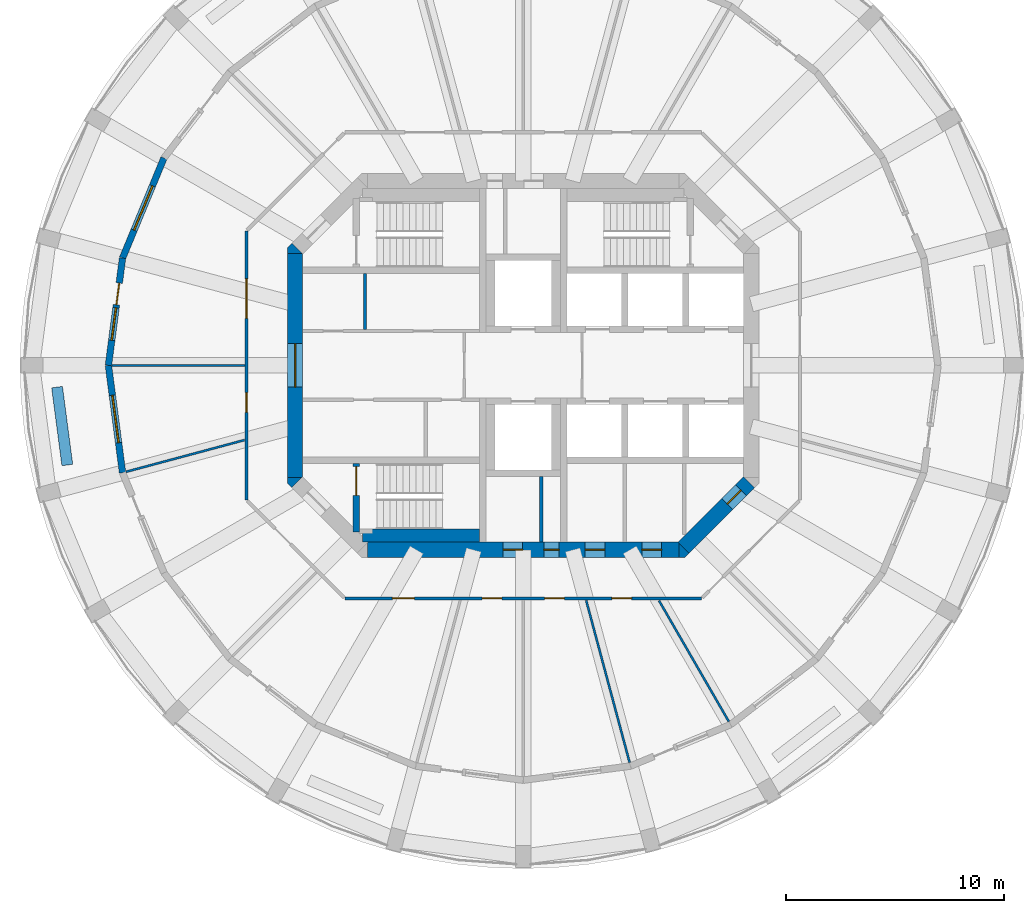
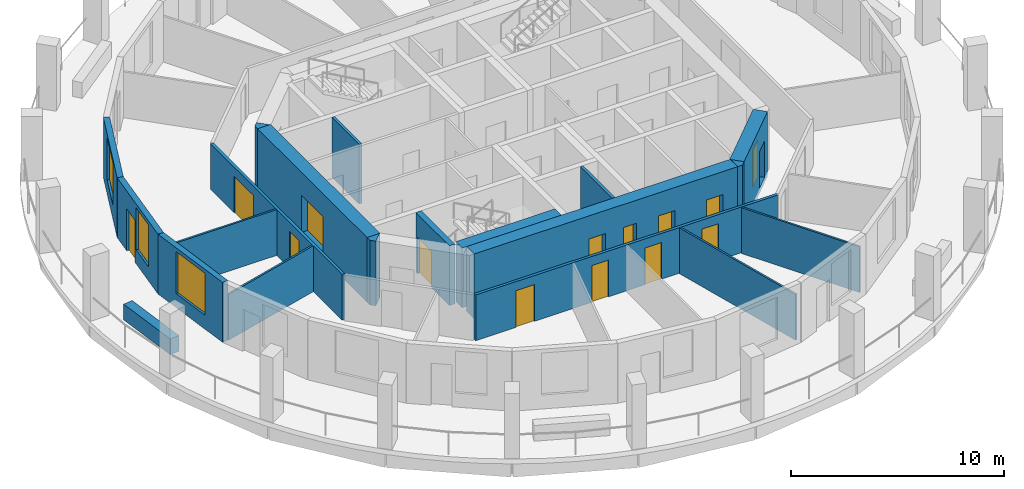
# One storey, part 3 of 9: 20 walls, 14 doors, 3 windows, 17 openings.
"""IFC4 building model written with IfcOpenShell, lengths in metres."""

from ifc_helpers import new_model, si_unit, direction, frame, frame_2d, origin, place, context, subcontext, project, spatial, polyline, rectangle, outline, extrude, material, layer, layer_set, type_object, element, fill, save


model = new_model("IFC4")

# Units and contexts
model_context = context("Model", 3, precision=1e-05, world=origin(), true_north=direction((0.0, 1.0)))
body_context = subcontext(model_context, "Body", "Model", "MODEL_VIEW")
ifc_project = project(units=[si_unit("LENGTHUNIT", "METRE"), si_unit("AREAUNIT", "SQUARE_METRE"), si_unit("VOLUMEUNIT", "CUBIC_METRE"), si_unit("PLANEANGLEUNIT", "RADIAN"), si_unit("MASSUNIT", "GRAM", prefix="KILO")], contexts=[model_context])

# Site, building, storey
site_placement = place(None, origin())
site = spatial("IfcSite", under=ifc_project, at=site_placement, CompositionType="ELEMENT")
building_placement = place(site_placement, origin())
building = spatial("IfcBuilding", under=site, at=building_placement, Name="Torre Triforio", CompositionType="ELEMENT")
storey_placement = place(building_placement, frame((0.0, 0.0, 180.10009765625)))
storey = spatial("IfcBuildingStorey", under=building, at=storey_placement, Name="L41", CompositionType="ELEMENT", Elevation=180.10009765625)

# Wall, openings, doors
ifc_material_1 = material(Name="Concrete C50", Category="concrete")
ifc_layer_1 = layer(ifc_material_1, 0.699951171875)
ifc_layer_set_1 = layer_set([ifc_layer_1], Name="Concrete C50")
wall_type_1 = type_object("IfcWallType", Name="Core wall 700 mm C50 EI 120", PredefinedType="SHEAR", material=ifc_layer_set_1)
wall_1_placement = place(storey_placement, frame((-7.1298828125, -8.449951171875, -0.280029296875), z_axis=(0.0, 0.0, 1.0), x_axis=(1.0, 0.0, 0.0)))
wall_1 = element("IfcWall", 1, at=wall_1_placement, inside=storey, type_object=wall_type_1, Name="Core wall", PredefinedType="SHEAR", context=body_context, shape_type="SweptSolid", body=[
    extrude(rectangle(XDim=14.259765625, YDim=0.699951171875, at=frame_2d((7.1298828125, 0.0))), origin(), (0.0, 0.0, 1.0), 3.699951171875),
])
opening_1_placement = place(wall_1_placement, frame((8.080078125, 0.0, 0.280029296875)))
opening_1 = element("IfcOpeningElement", 2, at=opening_1_placement, cuts=wall_1, Name="Opening RISER-S", PredefinedType="OPENING", context=body_context, shape_type="SweptSolid", body=[
    extrude(rectangle(XDim=0.699951171875, YDim=2.10009765625, at=frame_2d((0.35009765625, 1.050048828125))), frame((0.0, 0.35986328125, 0.0), z_axis=(0.0, -1.0, 0.0), x_axis=(1.0, 0.0, 0.0)), (0.0, 0.0, 1.0), 0.719970703125),
])
opening_2_placement = place(wall_1_placement, frame((6.205078125, 0.0, 0.280029296875)))
opening_2 = element("IfcOpeningElement", 3, at=opening_2_placement, cuts=wall_1, Name="Opening SW-01B", PredefinedType="OPENING", context=body_context, shape_type="SweptSolid", body=[
    extrude(rectangle(XDim=0.89990234375, YDim=2.10009765625, at=frame_2d((0.449951171875, 1.050048828125))), frame((0.0, 0.35986328125, 0.0), z_axis=(0.0, -1.0, 0.0), x_axis=(1.0, 0.0, 0.0)), (0.0, 0.0, 1.0), 0.719970703125),
])
opening_3_placement = place(wall_1_placement, frame((9.967041015625, 0.0, 0.280029296875)))
opening_3 = element("IfcOpeningElement", 4, at=opening_3_placement, cuts=wall_1, Name="Opening SE-01A", PredefinedType="OPENING", context=body_context, shape_type="SweptSolid", body=[
    extrude(rectangle(XDim=0.89990234375, YDim=2.10009765625, at=frame_2d((0.449951171875, 1.050048828125))), frame((0.0, 0.35986328125, 0.0), z_axis=(0.0, -1.0, 0.0), x_axis=(1.0, 0.0, 0.0)), (0.0, 0.0, 1.0), 0.719970703125),
])
opening_4_placement = place(wall_1_placement, frame((12.56689453125, 0.0, 0.280029296875)))
opening_4 = element("IfcOpeningElement", 5, at=opening_4_placement, cuts=wall_1, Name="Opening SE-02", PredefinedType="OPENING", context=body_context, shape_type="SweptSolid", body=[
    extrude(rectangle(XDim=0.89990234375, YDim=2.10009765625, at=frame_2d((0.449951171875, 1.050048828125))), frame((0.0, 0.35986328125, 0.0), z_axis=(0.0, -1.0, 0.0), x_axis=(1.0, 0.0, 0.0)), (0.0, 0.0, 1.0), 0.719970703125),
])
ifc_material_2 = material(Name="Hollow metal fire door leaf")
door_type_1 = type_object("IfcDoorType", Name="Riser door 700 x 2100 EI 60", OperationType="NOTDEFINED", PredefinedType="DOOR", material=ifc_material_2)
door_1_placement = place(opening_1_placement, origin())
door_1 = element("IfcDoor", 6, at=door_1_placement, inside=storey, type_object=door_type_1, Name="Core door RISER-S", OperationType="SINGLE_SWING_RIGHT", OverallHeight=2.10009765625, OverallWidth=0.699951171875, PredefinedType="DOOR", context=body_context, shape_type="SweptSolid", body=[
    extrude(rectangle(XDim=0.699951171875, YDim=2.10009765625, at=frame_2d((0.35009765625, 1.050048828125))), frame((0.0, 0.02490234375, 0.0), z_axis=(0.0, -1.0, 0.0), x_axis=(1.0, 0.0, 0.0)), (0.0, 0.0, 1.0), 0.050048828125),
])
fill(opening_1, door_1)
door_type_2 = type_object("IfcDoorType", Name="Room door 900 x 2100 EI 60", OperationType="NOTDEFINED", PredefinedType="DOOR", material=ifc_material_2)
door_2_placement = place(opening_2_placement, origin())
door_2 = element("IfcDoor", 7, at=door_2_placement, inside=storey, type_object=door_type_2, Name="Core door SW-01", OperationType="SINGLE_SWING_LEFT", OverallHeight=2.10009765625, OverallWidth=0.89990234375, PredefinedType="DOOR", context=body_context, shape_type="SweptSolid", body=[
    extrude(rectangle(XDim=0.89990234375, YDim=2.10009765625, at=frame_2d((0.449951171875, 1.050048828125))), frame((0.0, 0.02490234375, 0.0), z_axis=(0.0, -1.0, 0.0), x_axis=(1.0, 0.0, 0.0)), (0.0, 0.0, 1.0), 0.050048828125),
])
fill(opening_2, door_2)
door_3_placement = place(opening_3_placement, origin())
door_3 = element("IfcDoor", 8, at=door_3_placement, inside=storey, type_object=door_type_2, Name="Core door SE-01", OperationType="SINGLE_SWING_LEFT", OverallHeight=2.10009765625, OverallWidth=0.89990234375, PredefinedType="DOOR", context=body_context, shape_type="SweptSolid", body=[
    extrude(rectangle(XDim=0.89990234375, YDim=2.10009765625, at=frame_2d((0.449951171875, 1.050048828125))), frame((0.0, 0.02490234375, 0.0), z_axis=(0.0, -1.0, 0.0), x_axis=(1.0, 0.0, 0.0)), (0.0, 0.0, 1.0), 0.050048828125),
])
fill(opening_3, door_3)
door_4_placement = place(opening_4_placement, origin())
door_4 = element("IfcDoor", 9, at=door_4_placement, inside=storey, type_object=door_type_2, Name="Core door SE-02", OperationType="SINGLE_SWING_LEFT", OverallHeight=2.10009765625, OverallWidth=0.89990234375, PredefinedType="DOOR", context=body_context, shape_type="SweptSolid", body=[
    extrude(rectangle(XDim=0.89990234375, YDim=2.10009765625, at=frame_2d((0.449951171875, 1.050048828125))), frame((0.0, 0.02490234375, 0.0), z_axis=(0.0, -1.0, 0.0), x_axis=(1.0, 0.0, 0.0)), (0.0, 0.0, 1.0), 0.050048828125),
])
fill(opening_4, door_4)

# Wall, opening, door
wall_2_placement = place(storey_placement, frame((-10.449951171875, -5.1298828125, -0.280029296875), z_axis=(0.0, 0.0, 1.0), x_axis=(0.0, 1.0, 0.0)))
wall_2 = element("IfcWall", 10, at=wall_2_placement, inside=storey, type_object=wall_type_1, Name="Core wall", PredefinedType="SHEAR", context=body_context, shape_type="SweptSolid", body=[
    extrude(rectangle(XDim=10.259765625, YDim=0.699951171875, at=frame_2d((5.1298828125, 0.0))), origin(), (0.0, 0.0, 1.0), 3.699951171875),
])
opening_5_placement = place(wall_2_placement, frame((4.1298828125, 0.0, 0.280029296875)))
opening_5 = element("IfcOpeningElement", 11, at=opening_5_placement, cuts=wall_2, Name="Opening W-RING", PredefinedType="OPENING", context=body_context, shape_type="SweptSolid", body=[
    extrude(rectangle(XDim=2.0, YDim=2.10009765625, at=frame_2d((1.0, 1.050048828125))), frame((0.0, 0.35986328125, 0.0), z_axis=(0.0, -1.0, 0.0), x_axis=(1.0, 0.0, 0.0)), (0.0, 0.0, 1.0), 0.719970703125),
])
door_type_3 = type_object("IfcDoorType", Name="Lobby door 2000 x 2100 EI 60", OperationType="DOUBLE_DOOR_SINGLE_SWING", PredefinedType="DOOR", material=ifc_material_2)
door_5_placement = place(opening_5_placement, origin())
door_5 = element("IfcDoor", 12, at=door_5_placement, inside=storey, type_object=door_type_3, Name="Core door W-RING", OperationType="DOUBLE_DOOR_SINGLE_SWING", OverallHeight=2.10009765625, OverallWidth=2.0, PredefinedType="DOOR", context=body_context, shape_type="SweptSolid", body=[
    extrude(rectangle(XDim=2.0, YDim=2.10009765625, at=frame_2d((1.0, 1.050048828125))), frame((0.0, 0.02490234375, 0.0), z_axis=(0.0, -1.0, 0.0), x_axis=(1.0, 0.0, 0.0)), (0.0, 0.0, 1.0), 0.050048828125),
])
fill(opening_5, door_5)

wall_3_placement = place(storey_placement, frame((10.347412109375, -5.347412109375, -0.280029296875), z_axis=(0.0, 0.0, 1.0), x_axis=(-0.707106781187, -0.707106781187, 0.0)))
wall_3 = element("IfcWall", 13, at=wall_3_placement, inside=storey, type_object=wall_type_1, Name="Core wall", PredefinedType="SHEAR", context=body_context, shape_type="SweptSolid", body=[
    extrude(rectangle(XDim=4.24267578125, YDim=0.699951171875, at=frame_2d((2.121337890625, 0.0))), origin(), (0.0, 0.0, 1.0), 3.699951171875),
])
opening_6_placement = place(wall_3_placement, frame((0.52001953125, 0.0, 0.280029296875)))
opening_6 = element("IfcOpeningElement", 14, at=opening_6_placement, cuts=wall_3, Name="Opening SE-03", PredefinedType="OPENING", context=body_context, shape_type="SweptSolid", body=[
    extrude(rectangle(XDim=0.89990234375, YDim=2.10009765625, at=frame_2d((0.449951171875, 1.050048828125))), frame((0.0, 0.35986328125, 0.0), z_axis=(0.0, -1.0, 0.0), x_axis=(1.0, 0.0, 0.0)), (0.0, 0.0, 1.0), 0.719970703125),
])
door_6_placement = place(opening_6_placement, origin())
door_6 = element("IfcDoor", 15, at=door_6_placement, inside=storey, type_object=door_type_2, Name="Core door SE-03", OperationType="SINGLE_SWING_RIGHT", OverallHeight=2.10009765625, OverallWidth=0.89990234375, PredefinedType="DOOR", context=body_context, shape_type="SweptSolid", body=[
    extrude(rectangle(XDim=0.89990234375, YDim=2.10009765625, at=frame_2d((0.449951171875, 1.050048828125))), frame((0.0, 0.02490234375, 0.0), z_axis=(0.0, -1.0, 0.0), x_axis=(1.0, 0.0, 0.0)), (0.0, 0.0, 1.0), 0.050048828125),
])
fill(opening_6, door_6)

# Walls
wall_4_placement = place(storey_placement, frame((0.0, 0.0, -0.280029296875)))
element("IfcWall", 16, at=wall_4_placement, inside=storey, type_object=wall_type_1, Name="Core wall", PredefinedType="SHEAR", context=body_context, shape_type="SweptSolid", body=[
    extrude(outline(polyline([(7.389892578125, -8.800048828125), (7.1298828125, -8.800048828125), (7.1298828125, -8.800048828125), (7.1298828125, -8.1298828125), (7.594970703125, -8.594970703125), (7.594970703125, -8.594970703125), (7.594970703125, -8.594970703125), (7.389892578125, -8.800048828125)])), origin(), (0.0, 0.0, 1.0), 3.699951171875),
])
wall_5_placement = place(storey_placement, frame((0.0, 0.0, -0.280029296875)))
element("IfcWall", 17, at=wall_5_placement, inside=storey, type_object=wall_type_1, Name="Core wall", PredefinedType="SHEAR", context=body_context, shape_type="SweptSolid", body=[
    extrude(outline(polyline([(-10.800048828125, -5.389892578125), (-10.800048828125, -5.1298828125), (-10.800048828125, -5.1298828125), (-10.1298828125, -5.1298828125), (-10.594970703125, -5.594970703125), (-10.594970703125, -5.594970703125), (-10.594970703125, -5.594970703125), (-10.800048828125, -5.389892578125)])), origin(), (0.0, 0.0, 1.0), 3.699951171875),
])
wall_6_placement = place(storey_placement, frame((0.0, 0.0, -0.280029296875)))
element("IfcWall", 18, at=wall_6_placement, inside=storey, type_object=wall_type_1, Name="Core wall", PredefinedType="SHEAR", context=body_context, shape_type="SweptSolid", body=[
    extrude(outline(polyline([(-10.594970703125, 5.594970703125), (-10.594970703125, 5.594970703125), (-10.594970703125, 5.594970703125), (-10.1298828125, 5.1298828125), (-10.800048828125, 5.1298828125), (-10.800048828125, 5.1298828125), (-10.800048828125, 5.389892578125), (-10.594970703125, 5.594970703125)])), origin(), (0.0, 0.0, 1.0), 3.699951171875),
])

# Wall, openings, doors
ifc_material_3 = material(Name="Plasterboard on metal studs")
ifc_layer_2 = layer(ifc_material_3, 0.14990234375)
ifc_layer_set_2 = layer_set([ifc_layer_2], Name="Plasterboard on metal studs")
wall_type_2 = type_object("IfcWallType", Name="Corridor and tenancy wall 150 mm EI 60", PredefinedType="PARTITIONING", material=ifc_layer_set_2)
wall_7_placement = place(storey_placement, frame((8.16650390625, -10.675048828125, 0.0), z_axis=(0.0, 0.0, 1.0), x_axis=(-1.0, 0.0, 0.0)))
wall_7 = element("IfcWall", 19, at=wall_7_placement, inside=storey, type_object=wall_type_2, Name="Partition 2", PredefinedType="PARTITIONING", context=body_context, shape_type="SweptSolid", body=[
    extrude(rectangle(XDim=16.3330078125, YDim=0.14990234375, at=frame_2d((8.16650390625, 0.0))), origin(), (0.0, 0.0, 1.0), 2.619873046875),
])
opening_7_placement = place(wall_7_placement, frame((13.155029296875, 0.0, 0.0)))
opening_7 = element("IfcOpeningElement", 20, at=opening_7_placement, cuts=wall_7, Name="Opening O3-04", PredefinedType="OPENING", context=body_context, shape_type="SweptSolid", body=[
    extrude(rectangle(XDim=1.0, YDim=2.10009765625, at=frame_2d((0.5, 1.050048828125))), frame((0.0, 0.0849609375, 0.0), z_axis=(0.0, -1.0, 0.0), x_axis=(1.0, 0.0, 0.0)), (0.0, 0.0, 1.0), 0.169921875),
])
opening_8_placement = place(wall_7_placement, frame((9.147705078125, 0.0, 0.0)))
opening_8 = element("IfcOpeningElement", 21, at=opening_8_placement, cuts=wall_7, Name="Opening O3-05", PredefinedType="OPENING", context=body_context, shape_type="SweptSolid", body=[
    extrude(rectangle(XDim=0.89990234375, YDim=2.10009765625, at=frame_2d((0.449951171875, 1.050048828125))), frame((0.0, 0.0849609375, 0.0), z_axis=(0.0, -1.0, 0.0), x_axis=(1.0, 0.0, 0.0)), (0.0, 0.0, 1.0), 0.169921875),
])
opening_9_placement = place(wall_7_placement, frame((6.285400390625, 0.0, 0.0)))
opening_9 = element("IfcOpeningElement", 22, at=opening_9_placement, cuts=wall_7, Name="Opening O3-06", PredefinedType="OPENING", context=body_context, shape_type="SweptSolid", body=[
    extrude(rectangle(XDim=0.89990234375, YDim=2.10009765625, at=frame_2d((0.449951171875, 1.050048828125))), frame((0.0, 0.0849609375, 0.0), z_axis=(0.0, -1.0, 0.0), x_axis=(1.0, 0.0, 0.0)), (0.0, 0.0, 1.0), 0.169921875),
])
opening_10_placement = place(wall_7_placement, frame((3.200927734375, 0.0, 0.0)))
opening_10 = element("IfcOpeningElement", 23, at=opening_10_placement, cuts=wall_7, Name="Opening O3-07", PredefinedType="OPENING", context=body_context, shape_type="SweptSolid", body=[
    extrude(rectangle(XDim=0.89990234375, YDim=2.10009765625, at=frame_2d((0.449951171875, 1.050048828125))), frame((0.0, 0.0849609375, 0.0), z_axis=(0.0, -1.0, 0.0), x_axis=(1.0, 0.0, 0.0)), (0.0, 0.0, 1.0), 0.169921875),
])
ifc_material_4 = material(Name="Timber", Category="wood")
door_type_4 = type_object("IfcDoorType", Name="Door 1000 x 2100 single leaf EI 30", OperationType="NOTDEFINED", PredefinedType="DOOR", material=ifc_material_4)
door_7_placement = place(opening_7_placement, origin())
door_7 = element("IfcDoor", 24, at=door_7_placement, inside=storey, type_object=door_type_4, Name="Door O3-04", OperationType="SINGLE_SWING_RIGHT", OverallHeight=2.10009765625, OverallWidth=1.0, PredefinedType="DOOR", context=body_context, shape_type="SweptSolid", body=[
    extrude(rectangle(XDim=1.0, YDim=2.10009765625, at=frame_2d((0.5, 1.050048828125))), frame((0.0, 0.02490234375, 0.0), z_axis=(0.0, -1.0, 0.0), x_axis=(1.0, 0.0, 0.0)), (0.0, 0.0, 1.0), 0.050048828125),
])
fill(opening_7, door_7)
door_type_5 = type_object("IfcDoorType", Name="Door 900 x 2100 single leaf EI 30", OperationType="NOTDEFINED", PredefinedType="DOOR", material=ifc_material_4)
door_8_placement = place(opening_8_placement, origin())
door_8 = element("IfcDoor", 25, at=door_8_placement, inside=storey, type_object=door_type_5, Name="Door O3-05", OperationType="SINGLE_SWING_LEFT", OverallHeight=2.10009765625, OverallWidth=0.89990234375, PredefinedType="DOOR", context=body_context, shape_type="SweptSolid", body=[
    extrude(rectangle(XDim=0.89990234375, YDim=2.10009765625, at=frame_2d((0.449951171875, 1.050048828125))), frame((0.0, 0.02490234375, 0.0), z_axis=(0.0, -1.0, 0.0), x_axis=(1.0, 0.0, 0.0)), (0.0, 0.0, 1.0), 0.050048828125),
])
fill(opening_8, door_8)
door_9_placement = place(opening_9_placement, origin())
door_9 = element("IfcDoor", 26, at=door_9_placement, inside=storey, type_object=door_type_5, Name="Door O3-06", OperationType="SINGLE_SWING_LEFT", OverallHeight=2.10009765625, OverallWidth=0.89990234375, PredefinedType="DOOR", context=body_context, shape_type="SweptSolid", body=[
    extrude(rectangle(XDim=0.89990234375, YDim=2.10009765625, at=frame_2d((0.449951171875, 1.050048828125))), frame((0.0, 0.02490234375, 0.0), z_axis=(0.0, -1.0, 0.0), x_axis=(1.0, 0.0, 0.0)), (0.0, 0.0, 1.0), 0.050048828125),
])
fill(opening_9, door_9)
door_10_placement = place(opening_10_placement, origin())
door_10 = element("IfcDoor", 27, at=door_10_placement, inside=storey, type_object=door_type_5, Name="Door O3-07", OperationType="SINGLE_SWING_RIGHT", OverallHeight=2.10009765625, OverallWidth=0.89990234375, PredefinedType="DOOR", context=body_context, shape_type="SweptSolid", body=[
    extrude(rectangle(XDim=0.89990234375, YDim=2.10009765625, at=frame_2d((0.449951171875, 1.050048828125))), frame((0.0, 0.02490234375, 0.0), z_axis=(0.0, -1.0, 0.0), x_axis=(1.0, 0.0, 0.0)), (0.0, 0.0, 1.0), 0.050048828125),
])
fill(opening_10, door_10)

wall_8_placement = place(storey_placement, frame((-12.675048828125, -6.16650390625, 0.0), z_axis=(0.0, 0.0, 1.0), x_axis=(0.0, 1.0, 0.0)))
wall_8 = element("IfcWall", 28, at=wall_8_placement, inside=storey, type_object=wall_type_2, Name="Partition 4", PredefinedType="PARTITIONING", context=body_context, shape_type="SweptSolid", body=[
    extrude(rectangle(XDim=12.3330078125, YDim=0.14990234375, at=frame_2d((6.16650390625, 0.0))), origin(), (0.0, 0.0, 1.0), 2.619873046875),
])
opening_11_placement = place(wall_8_placement, frame((8.324951171875, 0.0, 0.0)))
opening_11 = element("IfcOpeningElement", 29, at=opening_11_placement, cuts=wall_8, Name="Opening O3-01", PredefinedType="OPENING", context=body_context, shape_type="SweptSolid", body=[
    extrude(rectangle(XDim=1.800048828125, YDim=2.10009765625, at=frame_2d((0.89990234375, 1.050048828125))), frame((0.0, 0.0849609375, 0.0), z_axis=(0.0, -1.0, 0.0), x_axis=(1.0, 0.0, 0.0)), (0.0, 0.0, 1.0), 0.169921875),
])
opening_12_placement = place(wall_8_placement, frame((4.017578125, 0.0, 0.0)))
opening_12 = element("IfcOpeningElement", 30, at=opening_12_placement, cuts=wall_8, Name="Opening O3-02", PredefinedType="OPENING", context=body_context, shape_type="SweptSolid", body=[
    extrude(rectangle(XDim=0.89990234375, YDim=2.10009765625, at=frame_2d((0.449951171875, 1.050048828125))), frame((0.0, 0.0849609375, 0.0), z_axis=(0.0, -1.0, 0.0), x_axis=(1.0, 0.0, 0.0)), (0.0, 0.0, 1.0), 0.169921875),
])
door_type_6 = type_object("IfcDoorType", Name="Door 1800 x 2100 double leaf EI 30", OperationType="DOUBLE_DOOR_SINGLE_SWING", PredefinedType="DOOR", material=ifc_material_4)
door_11_placement = place(opening_11_placement, origin())
door_11 = element("IfcDoor", 31, at=door_11_placement, inside=storey, type_object=door_type_6, Name="Door O3-01", OperationType="DOUBLE_DOOR_SINGLE_SWING", OverallHeight=2.10009765625, OverallWidth=1.800048828125, PredefinedType="DOOR", context=body_context, shape_type="SweptSolid", body=[
    extrude(rectangle(XDim=1.800048828125, YDim=2.10009765625, at=frame_2d((0.89990234375, 1.050048828125))), frame((0.0, 0.02490234375, 0.0), z_axis=(0.0, -1.0, 0.0), x_axis=(1.0, 0.0, 0.0)), (0.0, 0.0, 1.0), 0.050048828125),
])
fill(opening_11, door_11)
door_12_placement = place(opening_12_placement, origin())
door_12 = element("IfcDoor", 32, at=door_12_placement, inside=storey, type_object=door_type_5, Name="Door O3-02", OperationType="SINGLE_SWING_LEFT", OverallHeight=2.10009765625, OverallWidth=0.89990234375, PredefinedType="DOOR", context=body_context, shape_type="SweptSolid", body=[
    extrude(rectangle(XDim=0.89990234375, YDim=2.10009765625, at=frame_2d((0.449951171875, 1.050048828125))), frame((0.0, 0.02490234375, 0.0), z_axis=(0.0, -1.0, 0.0), x_axis=(1.0, 0.0, 0.0)), (0.0, 0.0, 1.0), 0.050048828125),
])
fill(opening_12, door_12)

# Walls
ifc_layer_3 = layer(ifc_material_3, 0.10009765625)
ifc_layer_set_3 = layer_set([ifc_layer_3], Name="Plasterboard on metal studs")
wall_type_3 = type_object("IfcWallType", Name="Partition 100 mm board on metal studs", PredefinedType="PARTITIONING", material=ifc_layer_set_3)
wall_9_placement = place(storey_placement, frame((-12.75, 0.0, 0.0), z_axis=(0.0, 0.0, 1.0), x_axis=(-1.0, 0.0, 0.0)))
element("IfcWall", 33, at=wall_9_placement, inside=storey, type_object=wall_type_3, Name="Partition 15", PredefinedType="PARTITIONING", context=body_context, shape_type="SweptSolid", body=[
    extrude(rectangle(XDim=6.086669921875, YDim=0.10009765625, at=frame_2d((3.04345703125, 0.0))), origin(), (0.0, 0.0, 1.0), 2.619873046875),
])
wall_10_placement = place(storey_placement, frame((-12.764404296875, -3.420166015625, 0.0), z_axis=(0.0, 0.0, 1.0), x_axis=(-0.965925759926, -0.258819292773, 0.0)))
element("IfcWall", 34, at=wall_10_placement, inside=storey, type_object=wall_type_3, Name="Partition 16", PredefinedType="PARTITIONING", context=body_context, shape_type="SweptSolid", body=[
    extrude(rectangle(XDim=5.6220703125, YDim=0.10009765625, at=frame_2d((2.81103515625, 0.0))), origin(), (0.0, 0.0, 1.0), 2.619873046875),
])
wall_11_placement = place(storey_placement, frame((2.88427734375, -10.764404296875, 0.0), z_axis=(0.0, 0.0, 1.0), x_axis=(0.25881804804, -0.965926093451, 0.0)))
element("IfcWall", 35, at=wall_11_placement, inside=storey, type_object=wall_type_3, Name="Partition 20", PredefinedType="PARTITIONING", context=body_context, shape_type="SweptSolid", body=[
    extrude(rectangle(XDim=7.692626953125, YDim=0.10009765625, at=frame_2d((3.84619140625, 0.0))), origin(), (0.0, 0.0, 1.0), 2.619873046875),
])
wall_12_placement = place(storey_placement, frame((6.220703125, -10.774658203125, 0.0), z_axis=(0.0, 0.0, 1.0), x_axis=(0.500023166934, -0.866012027936, 0.0)))
element("IfcWall", 36, at=wall_12_placement, inside=storey, type_object=wall_type_3, Name="Partition 21", PredefinedType="PARTITIONING", context=body_context, shape_type="SweptSolid", body=[
    extrude(rectangle(XDim=6.395263671875, YDim=0.10009765625, at=frame_2d((3.19775390625, 0.0))), origin(), (0.0, 0.0, 1.0), 2.619873046875),
])
ifc_material_5 = material(Name="Block and board partition")
ifc_layer_4 = layer(ifc_material_5, 0.14990234375)
ifc_layer_set_4 = layer_set([ifc_layer_4], Name="Block and board partition")
wall_type_4 = type_object("IfcWallType", Name="Partition 150 mm", PredefinedType="PARTITIONING", material=ifc_layer_set_4)
wall_13_placement = place(storey_placement, frame((-7.242431640625, 1.64990234375, 0.0), z_axis=(0.0, 0.0, 1.0), x_axis=(0.0, 1.0, 0.0)))
element("IfcWall", 37, at=wall_13_placement, inside=storey, type_object=wall_type_4, Name="Partition", PredefinedType="PARTITIONING", context=body_context, shape_type="SweptSolid", body=[
    extrude(rectangle(XDim=2.550048828125, YDim=0.14990234375, at=frame_2d((1.27490234375, 0.0))), origin(), (0.0, 0.0, 1.0), 3.419921875),
])
ifc_layer_5 = layer(ifc_material_5, 0.14990234375)
ifc_layer_set_5 = layer_set([ifc_layer_5], Name="Block and board partition")
wall_type_5 = type_object("IfcWallType", Name="Partition 150 mm EI 120", PredefinedType="PARTITIONING", material=ifc_layer_set_5)
wall_14_placement = place(storey_placement, frame((0.824951171875, -8.10009765625, 0.0), z_axis=(0.0, 0.0, 1.0), x_axis=(0.0, 1.0, 0.0)))
element("IfcWall", 38, at=wall_14_placement, inside=storey, type_object=wall_type_5, Name="Partition", PredefinedType="PARTITIONING", context=body_context, shape_type="SweptSolid", body=[
    extrude(rectangle(XDim=3.0, YDim=0.14990234375, at=frame_2d((1.5, 0.0))), origin(), (0.0, 0.0, 1.0), 3.419921875),
])
ifc_material_6 = material(Name="Limestone cladding", Category="masonry")
ifc_layer_6 = layer(ifc_material_6, 0.10009765625)
ifc_material_7 = material(Name="Concrete C40", Category="concrete")
ifc_layer_7 = layer(ifc_material_7, 0.39990234375)
ifc_layer_set_6 = layer_set([ifc_layer_6, ifc_layer_7], Name="Limestone cladding / Concrete C40")
wall_type_6 = type_object("IfcWallType", Name="Planter wall 500", PredefinedType="PARAPET", material=ifc_layer_set_6)
wall_15_placement = place(storey_placement, frame((-21.352783203125, -0.99560546875, 0.0), z_axis=(0.0, 0.0, 1.0), x_axis=(0.130551000099, -0.991441595039, 0.0)))
element("IfcWall", 39, at=wall_15_placement, inside=storey, type_object=wall_type_6, Name="Planter L41 bay 13", PredefinedType="PARAPET", context=body_context, shape_type="SweptSolid", body=[
    extrude(rectangle(XDim=3.599853515625, YDim=0.5, at=frame_2d((1.7998046875, 0.0))), origin(), (0.0, 0.0, 1.0), 0.89990234375),
])

# Wall, opening, door
ifc_layer_8 = layer(ifc_material_1, 0.300048828125)
ifc_layer_set_7 = layer_set([ifc_layer_8], Name="Concrete C50")
wall_type_7 = type_object("IfcWallType", Name="Stair wall 300 mm C50 EI 120", PredefinedType="SHEAR", material=ifc_layer_set_7)
wall_16_placement = place(storey_placement, frame((-7.64990234375, -7.639892578125, 0.0), z_axis=(0.0, 0.0, 1.0), x_axis=(0.0, 1.0, 0.0)))
wall_16 = element("IfcWall", 40, at=wall_16_placement, inside=storey, type_object=wall_type_7, Name="Stair wall", PredefinedType="SHEAR", context=body_context, shape_type="SweptSolid", body=[
    extrude(rectangle(XDim=3.139892578125, YDim=0.300048828125, at=frame_2d((1.56982421875, 0.0))), origin(), (0.0, 0.0, 1.0), 3.419921875),
])
opening_13_placement = place(wall_16_placement, frame((1.679931640625, 0.0, 0.0)))
opening_13 = element("IfcOpeningElement", 41, at=opening_13_placement, cuts=wall_16, Name="Opening ST3-STA", PredefinedType="OPENING", context=body_context, shape_type="SweptSolid", body=[
    extrude(rectangle(XDim=1.320068359375, YDim=2.10009765625, at=frame_2d((0.66015625, 1.050048828125))), frame((0.0, 0.159912109375, 0.0), z_axis=(0.0, -1.0, 0.0), x_axis=(1.0, 0.0, 0.0)), (0.0, 0.0, 1.0), 0.320068359375),
])
door_type_7 = type_object("IfcDoorType", Name="Stair door 1320 x 2100 EI 90", OperationType="DOUBLE_DOOR_SINGLE_SWING", PredefinedType="DOOR", material=ifc_material_2)
door_13_placement = place(opening_13_placement, origin())
door_13 = element("IfcDoor", 42, at=door_13_placement, inside=storey, type_object=door_type_7, Name="Core door ST3-ST", OperationType="DOUBLE_DOOR_SINGLE_SWING", OverallHeight=2.10009765625, OverallWidth=1.320068359375, PredefinedType="DOOR", context=body_context, shape_type="SweptSolid", body=[
    extrude(rectangle(XDim=1.320068359375, YDim=2.10009765625, at=frame_2d((0.66015625, 1.050048828125))), frame((0.0, 0.02490234375, 0.0), z_axis=(0.0, -1.0, 0.0), x_axis=(1.0, 0.0, 0.0)), (0.0, 0.0, 1.0), 0.050048828125),
])
fill(opening_13, door_13)

# Wall
ifc_layer_9 = layer(ifc_material_1, 0.60009765625)
ifc_layer_set_8 = layer_set([ifc_layer_9], Name="Concrete C50")
wall_type_8 = type_object("IfcWallType", Name="Stair wall 600 mm C50 EI 120", PredefinedType="SHEAR", material=ifc_layer_set_8)
wall_17_placement = place(storey_placement, frame((-7.3701171875, -7.800048828125, 0.0), z_axis=(0.0, 0.0, 1.0), x_axis=(1.0, 0.0, 0.0)))
element("IfcWall", 43, at=wall_17_placement, inside=storey, type_object=wall_type_8, Name="Stair wall", PredefinedType="SHEAR", context=body_context, shape_type="SweptSolid", body=[
    extrude(rectangle(XDim=5.3701171875, YDim=0.60009765625, at=frame_2d((2.68505859375, 0.0))), origin(), (0.0, 0.0, 1.0), 3.419921875),
])

# Wall, opening, window
ifc_layer_10 = layer(ifc_material_6, 0.10009765625)
ifc_layer_11 = layer(ifc_material_7, 0.199951171875)
ifc_layer_set_9 = layer_set([ifc_layer_10, ifc_layer_11], Name="Limestone cladding / Concrete C40")
wall_type_9 = type_object("IfcWallType", Name="Stone-faced composite wall 300", PredefinedType="STANDARD", material=ifc_layer_set_9)
wall_18_placement = place(storey_placement, frame((-16.45458984375, 9.5, 0.0), z_axis=(0.0, 0.0, 1.0), x_axis=(-0.382650301762, -0.923893254961, 0.0)))
wall_18 = element("IfcWall", 44, at=wall_18_placement, inside=storey, type_object=wall_type_9, Name="External wall L41 bay 11", PredefinedType="STANDARD", context=body_context, shape_type="SweptSolid", body=[
    extrude(rectangle(XDim=4.9599609375, YDim=0.300048828125, at=frame_2d((2.47998046875, 0.0))), origin(), (0.0, 0.0, 1.0), 3.419921875),
])
opening_14_placement = place(wall_18_placement, frame((1.3798828125, 0.0, 0.800048828125)))
opening_14 = element("IfcOpeningElement", 45, at=opening_14_placement, cuts=wall_18, Name="Opening O3-W11", PredefinedType="OPENING", context=body_context, shape_type="SweptSolid", body=[
    extrude(rectangle(XDim=2.199951171875, YDim=2.39990234375, at=frame_2d((1.10009765625, 1.199951171875))), frame((0.0, 0.159912109375, 0.0), z_axis=(0.0, -1.0, 0.0), x_axis=(1.0, 0.0, 0.0)), (0.0, 0.0, 1.0), 0.320068359375),
])
ifc_material_8 = material(Name="Aluminium frame with clear double glazing", Category="aluminium")
window_type_1 = type_object("IfcWindowType", Name="Punched window 2200 x 2400", PartitioningType="DOUBLE_PANEL_VERTICAL", PredefinedType="WINDOW", material=ifc_material_8)
window_1_placement = place(opening_14_placement, origin())
window_1 = element("IfcWindow", 46, at=window_1_placement, inside=storey, type_object=window_type_1, Name="Window EWN5 L41 bay 11", OverallHeight=2.39990234375, OverallWidth=2.199951171875, PartitioningType="SINGLE_PANEL", PredefinedType="WINDOW", context=body_context, shape_type="SweptSolid", body=[
    extrude(rectangle(XDim=2.199951171875, YDim=2.39990234375, at=frame_2d((1.10009765625, 1.199951171875))), frame((0.0, 0.030029296875, 0.0), z_axis=(0.0, -1.0, 0.0), x_axis=(1.0, 0.0, 0.0)), (0.0, 0.0, 1.0), 0.06005859375),
])
fill(opening_14, window_1)

# Wall, openings, door, window
wall_19_placement = place(storey_placement, frame((-18.3525390625, 4.91748046875, 0.0), z_axis=(0.0, 0.0, 1.0), x_axis=(-0.130538549191, -0.991443234469, 0.0)))
wall_19 = element("IfcWall", 47, at=wall_19_placement, inside=storey, type_object=wall_type_9, Name="External wall L41 bay 12", PredefinedType="STANDARD", context=body_context, shape_type="SweptSolid", body=[
    extrude(rectangle(XDim=4.9599609375, YDim=0.300048828125, at=frame_2d((2.47998046875, 0.0))), origin(), (0.0, 0.0, 1.0), 3.419921875),
])
opening_15_placement = place(wall_19_placement, frame((1.155029296875, 0.0, 0.0)))
opening_15 = element("IfcOpeningElement", 48, at=opening_15_placement, cuts=wall_19, Name="Opening O3-D12", PredefinedType="OPENING", context=body_context, shape_type="SweptSolid", body=[
    extrude(rectangle(XDim=1.0, YDim=2.39990234375, at=frame_2d((0.5, 1.199951171875))), frame((0.0, 0.159912109375, 0.0), z_axis=(0.0, -1.0, 0.0), x_axis=(1.0, 0.0, 0.0)), (0.0, 0.0, 1.0), 0.320068359375),
])
opening_16_placement = place(wall_19_placement, frame((2.304931640625, 0.0, 0.800048828125)))
opening_16 = element("IfcOpeningElement", 49, at=opening_16_placement, cuts=wall_19, Name="Opening O3-W12A", PredefinedType="OPENING", context=body_context, shape_type="SweptSolid", body=[
    extrude(rectangle(XDim=1.5, YDim=2.39990234375, at=frame_2d((0.75, 1.199951171875))), frame((0.0, 0.159912109375, 0.0), z_axis=(0.0, -1.0, 0.0), x_axis=(1.0, 0.0, 0.0)), (0.0, 0.0, 1.0), 0.320068359375),
])
door_type_8 = type_object("IfcDoorType", Name="Loggia door 1000 x 2400", OperationType="NOTDEFINED", PredefinedType="DOOR", material=ifc_material_8)
door_14_placement = place(opening_15_placement, origin())
door_14 = element("IfcDoor", 50, at=door_14_placement, inside=storey, type_object=door_type_8, Name="Loggia door L41 bay 12", OperationType="SINGLE_SWING_LEFT", OverallHeight=2.39990234375, OverallWidth=1.0, PredefinedType="DOOR", context=body_context, shape_type="SweptSolid", body=[
    extrude(rectangle(XDim=1.0, YDim=2.39990234375, at=frame_2d((0.5, 1.199951171875))), frame((0.0, 0.02490234375, 0.0), z_axis=(0.0, -1.0, 0.0), x_axis=(1.0, 0.0, 0.0)), (0.0, 0.0, 1.0), 0.050048828125),
])
fill(opening_15, door_14)
window_type_2 = type_object("IfcWindowType", Name="Side window 1500 x 2400", PartitioningType="SINGLE_PANEL", PredefinedType="WINDOW", material=ifc_material_8)
window_2_placement = place(opening_16_placement, origin())
window_2 = element("IfcWindow", 51, at=window_2_placement, inside=storey, type_object=window_type_2, Name="Side window EWN14 L41 bay 12", OverallHeight=2.39990234375, OverallWidth=1.5, PartitioningType="SINGLE_PANEL", PredefinedType="WINDOW", context=body_context, shape_type="SweptSolid", body=[
    extrude(rectangle(XDim=1.5, YDim=2.39990234375, at=frame_2d((0.75, 1.199951171875))), frame((0.0, 0.030029296875, 0.0), z_axis=(0.0, -1.0, 0.0), x_axis=(1.0, 0.0, 0.0)), (0.0, 0.0, 1.0), 0.06005859375),
])
fill(opening_16, window_2)

# Wall, opening, window
wall_20_placement = place(storey_placement, frame((-19.0, 0.0, 0.0), z_axis=(0.0, 0.0, 1.0), x_axis=(0.130538549191, -0.991443234469, 0.0)))
wall_20 = element("IfcWall", 52, at=wall_20_placement, inside=storey, type_object=wall_type_9, Name="External wall L41 bay 13", PredefinedType="STANDARD", context=body_context, shape_type="SweptSolid", body=[
    extrude(rectangle(XDim=4.9599609375, YDim=0.300048828125, at=frame_2d((2.47998046875, 0.0))), origin(), (0.0, 0.0, 1.0), 3.419921875),
])
opening_17_placement = place(wall_20_placement, frame((1.3798828125, 0.0, 0.800048828125)))
opening_17 = element("IfcOpeningElement", 53, at=opening_17_placement, cuts=wall_20, Name="Opening O3-W13", PredefinedType="OPENING", context=body_context, shape_type="SweptSolid", body=[
    extrude(rectangle(XDim=2.199951171875, YDim=2.39990234375, at=frame_2d((1.10009765625, 1.199951171875))), frame((0.0, 0.159912109375, 0.0), z_axis=(0.0, -1.0, 0.0), x_axis=(1.0, 0.0, 0.0)), (0.0, 0.0, 1.0), 0.320068359375),
])
window_3_placement = place(opening_17_placement, origin())
window_3 = element("IfcWindow", 54, at=window_3_placement, inside=storey, type_object=window_type_1, Name="Window EWN5 L41 bay 13", OverallHeight=2.39990234375, OverallWidth=2.199951171875, PartitioningType="SINGLE_PANEL", PredefinedType="WINDOW", context=body_context, shape_type="SweptSolid", body=[
    extrude(rectangle(XDim=2.199951171875, YDim=2.39990234375, at=frame_2d((1.10009765625, 1.199951171875))), frame((0.0, 0.030029296875, 0.0), z_axis=(0.0, -1.0, 0.0), x_axis=(1.0, 0.0, 0.0)), (0.0, 0.0, 1.0), 0.06005859375),
])
fill(opening_17, window_3)

save(model, "model.ifc")
